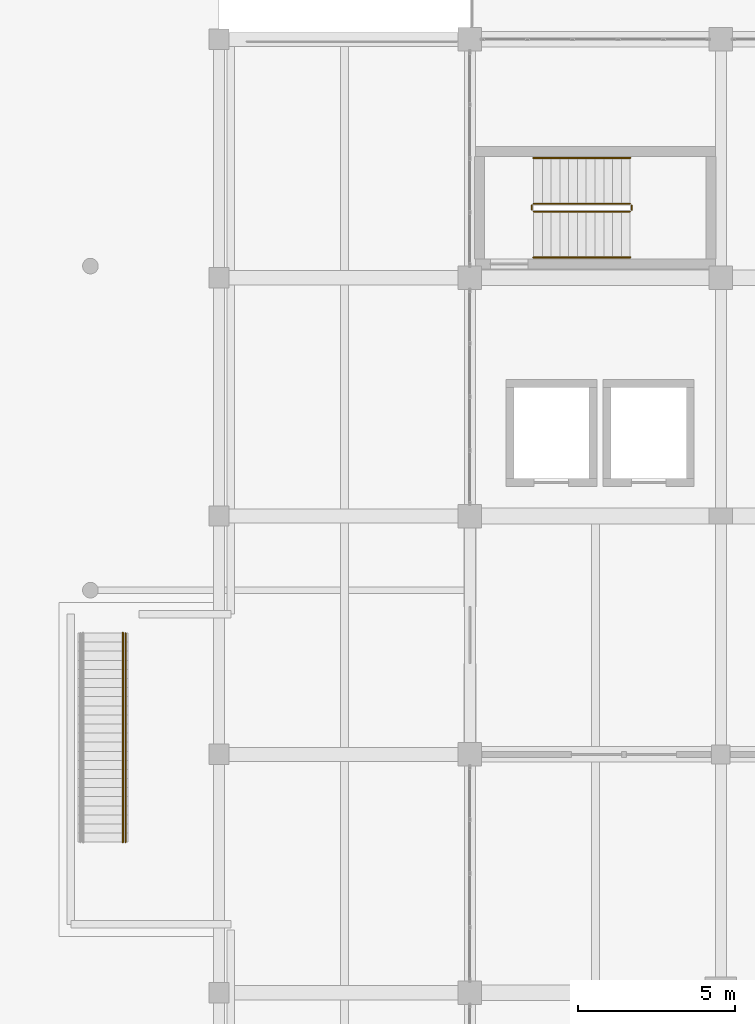
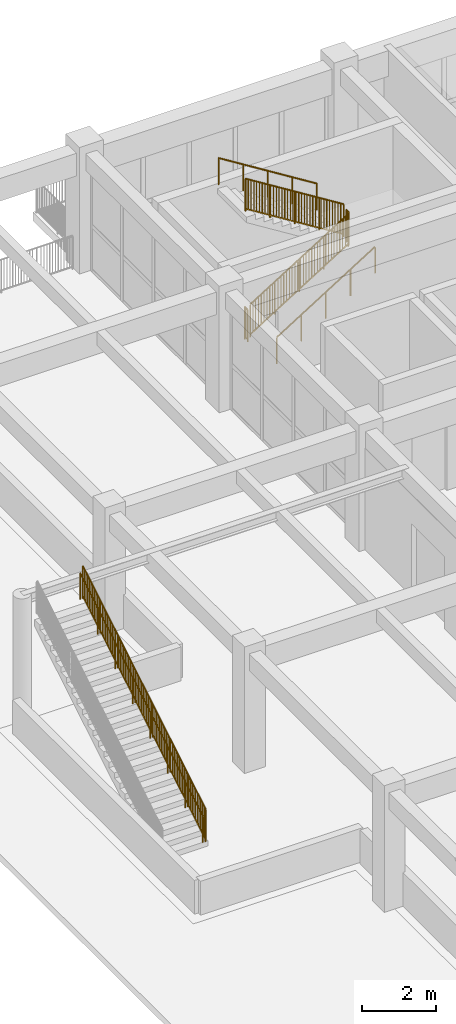
# One storey, part 51 of 63: 8 railings.
"""IFC4 building model written with IfcOpenShell, lengths in metres."""

from ifc_helpers import new_model, si_unit, direction, frame, origin, origin_2d, place, context, subcontext, project, spatial, rectangle, circle, extrude, material, type_object, element, save


model = new_model("IFC4")

# Units and contexts
model_context = context("Model", 3, precision=1e-05, world=origin(), true_north=direction((0.0, 1.0)))
body_context = subcontext(model_context, "Body", "Model", "MODEL_VIEW")
ifc_project = project(units=[si_unit("LENGTHUNIT", "METRE"), si_unit("AREAUNIT", "SQUARE_METRE"), si_unit("VOLUMEUNIT", "CUBIC_METRE"), si_unit("PLANEANGLEUNIT", "RADIAN"), si_unit("MASSUNIT", "GRAM", prefix="KILO")], contexts=[model_context])

# Site, building, storey
site_placement = place(None, origin())
site = spatial("IfcSite", under=ifc_project, at=site_placement, CompositionType="ELEMENT")
building_placement = place(site_placement, origin())
building = spatial("IfcBuilding", under=site, at=building_placement, Name="Zantavel Square City Hall", CompositionType="ELEMENT")
storey_placement = place(building_placement, frame((0.0, 0.0, 14.699951171875)))
storey = spatial("IfcBuildingStorey", under=building, at=storey_placement, Name="L04", CompositionType="ELEMENT", Elevation=14.699951171875)

# Railings
ifc_material_1 = material(Name="Steel ASTM A500 Grade B", Category="steel")
railing_type_1 = type_object("IfcRailingType", Name="Atrium & Gallery Steel Guard Railing 1100mm", PredefinedType="GUARDRAIL", material=ifc_material_1)
railing_1_placement = place(storey_placement, frame((66.030029296875, 62.909912109375, 0.175048828125)))
element("IfcRailing", 1, at=railing_1_placement, inside=storey, type_object=railing_type_1, Name="L04 ST5 stair guard 1", PredefinedType="GUARDRAIL", context=body_context, shape_type="SweptSolid", body=[
    extrude(circle(Radius=0.02392578125, at=origin_2d()), frame((0.0, 0.0, 1.076171875), z_axis=(0.847998304005, 0.0, 0.529998940003), x_axis=(0.0, 1.0, 0.0)), (0.0, 0.0, 1.0), 3.632080078125),
    extrude(rectangle(XDim=0.031982421875, YDim=0.031982421875, at=origin_2d()), frame((0.0, 0.0, 0.080078125), z_axis=(0.847998304005, 0.0, 0.529998940003), x_axis=(0.0, 1.0, 0.0)), (0.0, 0.0, 1.0), 3.632080078125),
    extrude(rectangle(XDim=0.02197265625, YDim=0.02197265625, at=origin_2d()), frame((0.087890625, 0.0, 0.135009765625)), (0.0, 0.0, 1.0), 0.971923828125),
    extrude(rectangle(XDim=0.02197265625, YDim=0.02197265625, at=origin_2d()), frame((0.176025390625, 0.0, 0.18994140625)), (0.0, 0.0, 1.0), 0.971923828125),
    extrude(rectangle(XDim=0.02197265625, YDim=0.02197265625, at=origin_2d()), frame((0.263916015625, 0.0, 0.2451171875)), (0.0, 0.0, 1.0), 0.971923828125),
    extrude(rectangle(XDim=0.02197265625, YDim=0.02197265625, at=origin_2d()), frame((0.35205078125, 0.0, 0.300048828125)), (0.0, 0.0, 1.0), 0.971923828125),
    extrude(rectangle(XDim=0.02197265625, YDim=0.02197265625, at=origin_2d()), frame((0.43994140625, 0.0, 0.35498046875)), (0.0, 0.0, 1.0), 0.971923828125),
    extrude(rectangle(XDim=0.02197265625, YDim=0.02197265625, at=origin_2d()), frame((0.528076171875, 0.0, 0.409912109375)), (0.0, 0.0, 1.0), 0.971923828125),
    extrude(rectangle(XDim=0.02197265625, YDim=0.02197265625, at=origin_2d()), frame((0.615966796875, 0.0, 0.465087890625)), (0.0, 0.0, 1.0), 0.971923828125),
    extrude(rectangle(XDim=0.02197265625, YDim=0.02197265625, at=origin_2d()), frame((0.7041015625, 0.0, 0.52001953125)), (0.0, 0.0, 1.0), 0.971923828125),
    extrude(rectangle(XDim=0.02197265625, YDim=0.02197265625, at=origin_2d()), frame((0.880126953125, 0.0, 0.630126953125)), (0.0, 0.0, 1.0), 0.971923828125),
    extrude(rectangle(XDim=0.02197265625, YDim=0.02197265625, at=origin_2d()), frame((0.968017578125, 0.0, 0.68505859375)), (0.0, 0.0, 1.0), 0.971923828125),
    extrude(rectangle(XDim=0.02197265625, YDim=0.02197265625, at=origin_2d()), frame((1.055908203125, 0.0, 0.739990234375)), (0.0, 0.0, 1.0), 0.971923828125),
    extrude(rectangle(XDim=0.02197265625, YDim=0.02197265625, at=origin_2d()), frame((1.14404296875, 0.0, 0.794921875)), (0.0, 0.0, 1.0), 0.971923828125),
    extrude(rectangle(XDim=0.02197265625, YDim=0.02197265625, at=origin_2d()), frame((1.23193359375, 0.0, 0.85009765625)), (0.0, 0.0, 1.0), 0.971923828125),
    extrude(rectangle(XDim=0.02197265625, YDim=0.02197265625, at=origin_2d()), frame((1.320068359375, 0.0, 0.905029296875)), (0.0, 0.0, 1.0), 0.971923828125),
    extrude(rectangle(XDim=0.02197265625, YDim=0.02197265625, at=origin_2d()), frame((1.407958984375, 0.0, 0.9599609375)), (0.0, 0.0, 1.0), 0.971923828125),
    extrude(rectangle(XDim=0.02197265625, YDim=0.02197265625, at=origin_2d()), frame((1.49609375, 0.0, 1.01513671875)), (0.0, 0.0, 1.0), 0.971923828125),
    extrude(rectangle(XDim=0.02197265625, YDim=0.02197265625, at=origin_2d()), frame((1.583984375, 0.0, 1.070068359375)), (0.0, 0.0, 1.0), 0.971923828125),
    extrude(rectangle(XDim=0.02197265625, YDim=0.02197265625, at=origin_2d()), frame((1.672119140625, 0.0, 1.125)), (0.0, 0.0, 1.0), 0.971923828125),
    extrude(rectangle(XDim=0.02197265625, YDim=0.02197265625, at=origin_2d()), frame((1.760009765625, 0.0, 1.179931640625)), (0.0, 0.0, 1.0), 0.971923828125),
    extrude(rectangle(XDim=0.02197265625, YDim=0.02197265625, at=origin_2d()), frame((1.84814453125, 0.0, 1.235107421875)), (0.0, 0.0, 1.0), 0.971923828125),
    extrude(rectangle(XDim=0.02197265625, YDim=0.02197265625, at=origin_2d()), frame((1.93603515625, 0.0, 1.2900390625)), (0.0, 0.0, 1.0), 0.971923828125),
    extrude(rectangle(XDim=0.02197265625, YDim=0.02197265625, at=origin_2d()), frame((2.024169921875, 0.0, 1.344970703125)), (0.0, 0.0, 1.0), 0.971923828125),
    extrude(rectangle(XDim=0.02197265625, YDim=0.02197265625, at=origin_2d()), frame((2.112060546875, 0.0, 1.400146484375)), (0.0, 0.0, 1.0), 0.971923828125),
    extrude(rectangle(XDim=0.02197265625, YDim=0.02197265625, at=origin_2d()), frame((2.199951171875, 0.0, 1.455078125)), (0.0, 0.0, 1.0), 0.971923828125),
    extrude(rectangle(XDim=0.02197265625, YDim=0.02197265625, at=origin_2d()), frame((2.3759765625, 0.0, 1.56494140625)), (0.0, 0.0, 1.0), 0.971923828125),
    extrude(rectangle(XDim=0.02197265625, YDim=0.02197265625, at=origin_2d()), frame((2.464111328125, 0.0, 1.6201171875)), (0.0, 0.0, 1.0), 0.971923828125),
    extrude(rectangle(XDim=0.02197265625, YDim=0.02197265625, at=origin_2d()), frame((2.552001953125, 0.0, 1.675048828125)), (0.0, 0.0, 1.0), 0.971923828125),
    extrude(rectangle(XDim=0.02197265625, YDim=0.02197265625, at=origin_2d()), frame((2.64013671875, 0.0, 1.72998046875)), (0.0, 0.0, 1.0), 0.971923828125),
    extrude(rectangle(XDim=0.02197265625, YDim=0.02197265625, at=origin_2d()), frame((2.72802734375, 0.0, 1.78515625)), (0.0, 0.0, 1.0), 0.971923828125),
    extrude(rectangle(XDim=0.02197265625, YDim=0.02197265625, at=origin_2d()), frame((2.816162109375, 0.0, 1.840087890625)), (0.0, 0.0, 1.0), 0.971923828125),
    extrude(rectangle(XDim=0.02197265625, YDim=0.02197265625, at=origin_2d()), frame((2.904052734375, 0.0, 1.89501953125)), (0.0, 0.0, 1.0), 0.971923828125),
    extrude(rectangle(XDim=0.02197265625, YDim=0.02197265625, at=origin_2d()), frame((2.9921875, 0.0, 1.949951171875)), (0.0, 0.0, 1.0), 0.971923828125),
    extrude(circle(Radius=0.02099609375, at=origin_2d()), origin(), (0.0, 0.0, 1.0), 1.052001953125),
    extrude(circle(Radius=0.02099609375, at=origin_2d()), frame((0.77001953125, 0.0, 0.481201171875)), (0.0, 0.0, 1.0), 1.052001953125),
    extrude(circle(Radius=0.02099609375, at=origin_2d()), frame((1.5400390625, 0.0, 0.96240234375)), (0.0, 0.0, 1.0), 1.052001953125),
    extrude(circle(Radius=0.02099609375, at=origin_2d()), frame((2.31005859375, 0.0, 1.44384765625)), (0.0, 0.0, 1.0), 1.052001953125),
    extrude(circle(Radius=0.02099609375, at=origin_2d()), frame((3.080078125, 0.0, 1.925048828125)), (0.0, 0.0, 1.0), 1.052001953125),
])
railing_2_placement = place(storey_placement, frame((69.159912109375, 62.9599609375, 2.10009765625)))
element("IfcRailing", 2, at=railing_2_placement, inside=storey, type_object=railing_type_1, Name="L04 ST5 stair guard 2", PredefinedType="GUARDRAIL", context=body_context, shape_type="SweptSolid", body=[
    extrude(circle(Radius=0.02392578125, at=origin_2d()), frame((0.0, 0.0, 1.076171875), z_axis=(0.0, 1.0, 0.0), x_axis=(-1.0, 0.0, 0.0)), (0.0, 0.0, 1.0), 0.150146484375),
    extrude(rectangle(XDim=0.031982421875, YDim=0.031982421875, at=origin_2d()), frame((0.0, 0.0, 0.080078125), z_axis=(0.0, 1.0, 0.0), x_axis=(-1.0, 0.0, 0.0)), (0.0, 0.0, 1.0), 0.150146484375),
    extrude(rectangle(XDim=0.02197265625, YDim=0.02197265625, at=origin_2d()), frame((0.0, 0.0751953125, 0.080078125)), (0.0, 0.0, 1.0), 0.971923828125),
    extrude(circle(Radius=0.02099609375, at=origin_2d()), origin(), (0.0, 0.0, 1.0), 1.052001953125),
    extrude(circle(Radius=0.02099609375, at=origin_2d()), frame((0.0, 0.150146484375, 0.0)), (0.0, 0.0, 1.0), 1.052001953125),
])
railing_3_placement = place(storey_placement, frame((69.110107421875, 63.159912109375, 2.275146484375)))
element("IfcRailing", 3, at=railing_3_placement, inside=storey, type_object=railing_type_1, Name="L04 ST5 stair guard 3", PredefinedType="GUARDRAIL", context=body_context, shape_type="SweptSolid", body=[
    extrude(circle(Radius=0.02392578125, at=origin_2d()), frame((0.0, 0.0, 1.076171875), z_axis=(-0.848028513186, 0.0, 0.529950602248), x_axis=(0.0, -1.0, 0.0)), (0.0, 0.0, 1.0), 3.632080078125),
    extrude(rectangle(XDim=0.031982421875, YDim=0.031982421875, at=origin_2d()), frame((0.0, 0.0, 0.080078125), z_axis=(-0.848028513186, 0.0, 0.529950602248), x_axis=(0.0, -1.0, 0.0)), (0.0, 0.0, 1.0), 3.632080078125),
    extrude(rectangle(XDim=0.02197265625, YDim=0.02197265625, at=origin_2d()), frame((-0.087890625, 0.0, 0.135009765625)), (0.0, 0.0, 1.0), 0.971923828125),
    extrude(rectangle(XDim=0.02197265625, YDim=0.02197265625, at=origin_2d()), frame((-0.176025390625, 0.0, 0.18994140625)), (0.0, 0.0, 1.0), 0.971923828125),
    extrude(rectangle(XDim=0.02197265625, YDim=0.02197265625, at=origin_2d()), frame((-0.263916015625, 0.0, 0.244873046875)), (0.0, 0.0, 1.0), 0.971923828125),
    extrude(rectangle(XDim=0.02197265625, YDim=0.02197265625, at=origin_2d()), frame((-0.35205078125, 0.0, 0.300048828125)), (0.0, 0.0, 1.0), 0.971923828125),
    extrude(rectangle(XDim=0.02197265625, YDim=0.02197265625, at=origin_2d()), frame((-0.43994140625, 0.0, 0.35498046875)), (0.0, 0.0, 1.0), 0.971923828125),
    extrude(rectangle(XDim=0.02197265625, YDim=0.02197265625, at=origin_2d()), frame((-0.528076171875, 0.0, 0.409912109375)), (0.0, 0.0, 1.0), 0.971923828125),
    extrude(rectangle(XDim=0.02197265625, YDim=0.02197265625, at=origin_2d()), frame((-0.615966796875, 0.0, 0.46484375)), (0.0, 0.0, 1.0), 0.971923828125),
    extrude(rectangle(XDim=0.02197265625, YDim=0.02197265625, at=origin_2d()), frame((-0.7041015625, 0.0, 0.52001953125)), (0.0, 0.0, 1.0), 0.971923828125),
    extrude(rectangle(XDim=0.02197265625, YDim=0.02197265625, at=origin_2d()), frame((-0.880126953125, 0.0, 0.6298828125)), (0.0, 0.0, 1.0), 0.971923828125),
    extrude(rectangle(XDim=0.02197265625, YDim=0.02197265625, at=origin_2d()), frame((-0.968017578125, 0.0, 0.68505859375)), (0.0, 0.0, 1.0), 0.971923828125),
    extrude(rectangle(XDim=0.02197265625, YDim=0.02197265625, at=origin_2d()), frame((-1.055908203125, 0.0, 0.739990234375)), (0.0, 0.0, 1.0), 0.971923828125),
    extrude(rectangle(XDim=0.02197265625, YDim=0.02197265625, at=origin_2d()), frame((-1.14404296875, 0.0, 0.794921875)), (0.0, 0.0, 1.0), 0.971923828125),
    extrude(rectangle(XDim=0.02197265625, YDim=0.02197265625, at=origin_2d()), frame((-1.23193359375, 0.0, 0.849853515625)), (0.0, 0.0, 1.0), 0.971923828125),
    extrude(rectangle(XDim=0.02197265625, YDim=0.02197265625, at=origin_2d()), frame((-1.320068359375, 0.0, 0.905029296875)), (0.0, 0.0, 1.0), 0.971923828125),
    extrude(rectangle(XDim=0.02197265625, YDim=0.02197265625, at=origin_2d()), frame((-1.407958984375, 0.0, 0.9599609375)), (0.0, 0.0, 1.0), 0.971923828125),
    extrude(rectangle(XDim=0.02197265625, YDim=0.02197265625, at=origin_2d()), frame((-1.49609375, 0.0, 1.014892578125)), (0.0, 0.0, 1.0), 0.971923828125),
    extrude(rectangle(XDim=0.02197265625, YDim=0.02197265625, at=origin_2d()), frame((-1.583984375, 0.0, 1.06982421875)), (0.0, 0.0, 1.0), 0.971923828125),
    extrude(rectangle(XDim=0.02197265625, YDim=0.02197265625, at=origin_2d()), frame((-1.672119140625, 0.0, 1.125)), (0.0, 0.0, 1.0), 0.971923828125),
    extrude(rectangle(XDim=0.02197265625, YDim=0.02197265625, at=origin_2d()), frame((-1.760009765625, 0.0, 1.179931640625)), (0.0, 0.0, 1.0), 0.971923828125),
    extrude(rectangle(XDim=0.02197265625, YDim=0.02197265625, at=origin_2d()), frame((-1.84814453125, 0.0, 1.23486328125)), (0.0, 0.0, 1.0), 0.971923828125),
    extrude(rectangle(XDim=0.02197265625, YDim=0.02197265625, at=origin_2d()), frame((-1.93603515625, 0.0, 1.289794921875)), (0.0, 0.0, 1.0), 0.971923828125),
    extrude(rectangle(XDim=0.02197265625, YDim=0.02197265625, at=origin_2d()), frame((-2.024169921875, 0.0, 1.344970703125)), (0.0, 0.0, 1.0), 0.971923828125),
    extrude(rectangle(XDim=0.02197265625, YDim=0.02197265625, at=origin_2d()), frame((-2.112060546875, 0.0, 1.39990234375)), (0.0, 0.0, 1.0), 0.971923828125),
    extrude(rectangle(XDim=0.02197265625, YDim=0.02197265625, at=origin_2d()), frame((-2.199951171875, 0.0, 1.454833984375)), (0.0, 0.0, 1.0), 0.971923828125),
    extrude(rectangle(XDim=0.02197265625, YDim=0.02197265625, at=origin_2d()), frame((-2.3759765625, 0.0, 1.56494140625)), (0.0, 0.0, 1.0), 0.971923828125),
    extrude(rectangle(XDim=0.02197265625, YDim=0.02197265625, at=origin_2d()), frame((-2.464111328125, 0.0, 1.619873046875)), (0.0, 0.0, 1.0), 0.971923828125),
    extrude(rectangle(XDim=0.02197265625, YDim=0.02197265625, at=origin_2d()), frame((-2.552001953125, 0.0, 1.6748046875)), (0.0, 0.0, 1.0), 0.971923828125),
    extrude(rectangle(XDim=0.02197265625, YDim=0.02197265625, at=origin_2d()), frame((-2.64013671875, 0.0, 1.729736328125)), (0.0, 0.0, 1.0), 0.971923828125),
    extrude(rectangle(XDim=0.02197265625, YDim=0.02197265625, at=origin_2d()), frame((-2.72802734375, 0.0, 1.784912109375)), (0.0, 0.0, 1.0), 0.971923828125),
    extrude(rectangle(XDim=0.02197265625, YDim=0.02197265625, at=origin_2d()), frame((-2.816162109375, 0.0, 1.83984375)), (0.0, 0.0, 1.0), 0.971923828125),
    extrude(rectangle(XDim=0.02197265625, YDim=0.02197265625, at=origin_2d()), frame((-2.904052734375, 0.0, 1.894775390625)), (0.0, 0.0, 1.0), 0.971923828125),
    extrude(rectangle(XDim=0.02197265625, YDim=0.02197265625, at=origin_2d()), frame((-2.9921875, 0.0, 1.94970703125)), (0.0, 0.0, 1.0), 0.971923828125),
    extrude(circle(Radius=0.02099609375, at=origin_2d()), origin(), (0.0, 0.0, 1.0), 1.052001953125),
    extrude(circle(Radius=0.02099609375, at=origin_2d()), frame((-0.77001953125, 0.0, 0.481201171875)), (0.0, 0.0, 1.0), 1.052001953125),
    extrude(circle(Radius=0.02099609375, at=origin_2d()), frame((-1.5400390625, 0.0, 0.96240234375)), (0.0, 0.0, 1.0), 1.052001953125),
    extrude(circle(Radius=0.02099609375, at=origin_2d()), frame((-2.31005859375, 0.0, 1.443603515625)), (0.0, 0.0, 1.0), 1.052001953125),
    extrude(circle(Radius=0.02099609375, at=origin_2d()), frame((-3.080078125, 0.0, 1.9248046875)), (0.0, 0.0, 1.0), 1.052001953125),
])
railing_4_placement = place(storey_placement, frame((65.97998046875, 62.9599609375, 0.0)))
element("IfcRailing", 4, at=railing_4_placement, inside=storey, type_object=railing_type_1, Name="L04 ST5 stair guard 4", PredefinedType="GUARDRAIL", context=body_context, shape_type="SweptSolid", body=[
    extrude(circle(Radius=0.02392578125, at=origin_2d()), frame((0.0, 0.0, 1.076171875), z_axis=(0.0, 1.0, 0.0), x_axis=(-1.0, 0.0, 0.0)), (0.0, 0.0, 1.0), 0.150146484375),
    extrude(rectangle(XDim=0.031982421875, YDim=0.031982421875, at=origin_2d()), frame((0.0, 0.0, 0.080078125), z_axis=(0.0, 1.0, 0.0), x_axis=(-1.0, 0.0, 0.0)), (0.0, 0.0, 1.0), 0.150146484375),
    extrude(rectangle(XDim=0.02197265625, YDim=0.02197265625, at=origin_2d()), frame((0.0, 0.0751953125, 0.080078125)), (0.0, 0.0, 1.0), 0.971923828125),
    extrude(circle(Radius=0.02099609375, at=origin_2d()), origin(), (0.0, 0.0, 1.0), 1.052001953125),
    extrude(circle(Radius=0.02099609375, at=origin_2d()), frame((0.0, 0.150146484375, 0.0)), (0.0, 0.0, 1.0), 1.052001953125),
])
railing_type_2 = type_object("IfcRailingType", Name="Classical Stone & Steel Terrace Balustrade 1100mm", PredefinedType="BALUSTRADE", material=ifc_material_1)
railing_5_placement = place(storey_placement, frame((53.02001953125, 42.800048828125, 0.175048828125)))
element("IfcRailing", 5, at=railing_5_placement, inside=storey, type_object=railing_type_2, Name="Outdoor Stair ST-TR5 Balustered Guard R", PredefinedType="BALUSTRADE", context=body_context, shape_type="SweptSolid", body=[
    extrude(circle(Radius=0.02392578125, at=origin_2d()), frame((0.0, 0.0, 1.076171875), z_axis=(0.0, 0.856190529329, 0.516660214733), x_axis=(-1.0, 0.0, 0.0)), (0.0, 0.0, 1.0), 7.790283203125),
    extrude(rectangle(XDim=0.031982421875, YDim=0.031982421875, at=origin_2d()), frame((0.0, 0.0, 0.080078125), z_axis=(0.0, 0.856190529329, 0.516660214733), x_axis=(-1.0, 0.0, 0.0)), (0.0, 0.0, 1.0), 7.790283203125),
    extrude(rectangle(XDim=0.02197265625, YDim=0.02197265625, at=origin_2d()), frame((0.0, 0.0888671875, 0.133544921875)), (0.0, 0.0, 1.0), 0.971923828125),
    extrude(rectangle(XDim=0.02197265625, YDim=0.02197265625, at=origin_2d()), frame((0.0, 0.177978515625, 0.187255859375)), (0.0, 0.0, 1.0), 0.971923828125),
    extrude(rectangle(XDim=0.02197265625, YDim=0.02197265625, at=origin_2d()), frame((0.0, 0.266845703125, 0.240966796875)), (0.0, 0.0, 1.0), 0.971923828125),
    extrude(rectangle(XDim=0.02197265625, YDim=0.02197265625, at=origin_2d()), frame((0.0, 0.355712890625, 0.294677734375)), (0.0, 0.0, 1.0), 0.971923828125),
    extrude(rectangle(XDim=0.02197265625, YDim=0.02197265625, at=origin_2d()), frame((0.0, 0.444580078125, 0.348388671875)), (0.0, 0.0, 1.0), 0.971923828125),
    extrude(rectangle(XDim=0.02197265625, YDim=0.02197265625, at=origin_2d()), frame((0.0, 0.53369140625, 0.402099609375)), (0.0, 0.0, 1.0), 0.971923828125),
    extrude(rectangle(XDim=0.02197265625, YDim=0.02197265625, at=origin_2d()), frame((0.0, 0.62255859375, 0.45556640625)), (0.0, 0.0, 1.0), 0.971923828125),
    extrude(rectangle(XDim=0.02197265625, YDim=0.02197265625, at=origin_2d()), frame((0.0, 0.71142578125, 0.50927734375)), (0.0, 0.0, 1.0), 0.971923828125),
    extrude(rectangle(XDim=0.02197265625, YDim=0.02197265625, at=origin_2d()), frame((0.0, 0.80029296875, 0.56298828125)), (0.0, 0.0, 1.0), 0.971923828125),
    extrude(rectangle(XDim=0.02197265625, YDim=0.02197265625, at=origin_2d()), frame((0.0, 0.889404296875, 0.61669921875)), (0.0, 0.0, 1.0), 0.971923828125),
    extrude(rectangle(XDim=0.02197265625, YDim=0.02197265625, at=origin_2d()), frame((0.0, 1.067138671875, 0.723876953125)), (0.0, 0.0, 1.0), 0.971923828125),
    extrude(rectangle(XDim=0.02197265625, YDim=0.02197265625, at=origin_2d()), frame((0.0, 1.156005859375, 0.777587890625)), (0.0, 0.0, 1.0), 0.971923828125),
    extrude(rectangle(XDim=0.02197265625, YDim=0.02197265625, at=origin_2d()), frame((0.0, 1.2451171875, 0.831298828125)), (0.0, 0.0, 1.0), 0.971923828125),
    extrude(rectangle(XDim=0.02197265625, YDim=0.02197265625, at=origin_2d()), frame((0.0, 1.333984375, 0.885009765625)), (0.0, 0.0, 1.0), 0.971923828125),
    extrude(rectangle(XDim=0.02197265625, YDim=0.02197265625, at=origin_2d()), frame((0.0, 1.4228515625, 0.938720703125)), (0.0, 0.0, 1.0), 0.971923828125),
    extrude(rectangle(XDim=0.02197265625, YDim=0.02197265625, at=origin_2d()), frame((0.0, 1.511962890625, 0.992431640625)), (0.0, 0.0, 1.0), 0.971923828125),
    extrude(rectangle(XDim=0.02197265625, YDim=0.02197265625, at=origin_2d()), frame((0.0, 1.600830078125, 1.0458984375)), (0.0, 0.0, 1.0), 0.971923828125),
    extrude(rectangle(XDim=0.02197265625, YDim=0.02197265625, at=origin_2d()), frame((0.0, 1.689697265625, 1.099609375)), (0.0, 0.0, 1.0), 0.971923828125),
    extrude(rectangle(XDim=0.02197265625, YDim=0.02197265625, at=origin_2d()), frame((0.0, 1.778564453125, 1.1533203125)), (0.0, 0.0, 1.0), 0.971923828125),
    extrude(rectangle(XDim=0.02197265625, YDim=0.02197265625, at=origin_2d()), frame((0.0, 1.95654296875, 1.2607421875)), (0.0, 0.0, 1.0), 0.971923828125),
    extrude(rectangle(XDim=0.02197265625, YDim=0.02197265625, at=origin_2d()), frame((0.0, 2.04541015625, 1.314208984375)), (0.0, 0.0, 1.0), 0.971923828125),
    extrude(rectangle(XDim=0.02197265625, YDim=0.02197265625, at=origin_2d()), frame((0.0, 2.13427734375, 1.367919921875)), (0.0, 0.0, 1.0), 0.971923828125),
    extrude(rectangle(XDim=0.02197265625, YDim=0.02197265625, at=origin_2d()), frame((0.0, 2.223388671875, 1.421630859375)), (0.0, 0.0, 1.0), 0.971923828125),
    extrude(rectangle(XDim=0.02197265625, YDim=0.02197265625, at=origin_2d()), frame((0.0, 2.312255859375, 1.475341796875)), (0.0, 0.0, 1.0), 0.971923828125),
    extrude(rectangle(XDim=0.02197265625, YDim=0.02197265625, at=origin_2d()), frame((0.0, 2.401123046875, 1.529052734375)), (0.0, 0.0, 1.0), 0.971923828125),
    extrude(rectangle(XDim=0.02197265625, YDim=0.02197265625, at=origin_2d()), frame((0.0, 2.489990234375, 1.58251953125)), (0.0, 0.0, 1.0), 0.971923828125),
    extrude(rectangle(XDim=0.02197265625, YDim=0.02197265625, at=origin_2d()), frame((0.0, 2.5791015625, 1.63623046875)), (0.0, 0.0, 1.0), 0.971923828125),
    extrude(rectangle(XDim=0.02197265625, YDim=0.02197265625, at=origin_2d()), frame((0.0, 2.66796875, 1.68994140625)), (0.0, 0.0, 1.0), 0.971923828125),
    extrude(rectangle(XDim=0.02197265625, YDim=0.02197265625, at=origin_2d()), frame((0.0, 2.7568359375, 1.74365234375)), (0.0, 0.0, 1.0), 0.971923828125),
    extrude(rectangle(XDim=0.02197265625, YDim=0.02197265625, at=origin_2d()), frame((0.0, 2.934814453125, 1.85107421875)), (0.0, 0.0, 1.0), 0.971923828125),
    extrude(rectangle(XDim=0.02197265625, YDim=0.02197265625, at=origin_2d()), frame((0.0, 3.023681640625, 1.904541015625)), (0.0, 0.0, 1.0), 0.971923828125),
    extrude(rectangle(XDim=0.02197265625, YDim=0.02197265625, at=origin_2d()), frame((0.0, 3.112548828125, 1.958251953125)), (0.0, 0.0, 1.0), 0.971923828125),
    extrude(rectangle(XDim=0.02197265625, YDim=0.02197265625, at=origin_2d()), frame((0.0, 3.20166015625, 2.011962890625)), (0.0, 0.0, 1.0), 0.971923828125),
    extrude(rectangle(XDim=0.02197265625, YDim=0.02197265625, at=origin_2d()), frame((0.0, 3.29052734375, 2.065673828125)), (0.0, 0.0, 1.0), 0.971923828125),
    extrude(rectangle(XDim=0.02197265625, YDim=0.02197265625, at=origin_2d()), frame((0.0, 3.37939453125, 2.119384765625)), (0.0, 0.0, 1.0), 0.971923828125),
    extrude(rectangle(XDim=0.02197265625, YDim=0.02197265625, at=origin_2d()), frame((0.0, 3.46826171875, 2.1728515625)), (0.0, 0.0, 1.0), 0.971923828125),
    extrude(rectangle(XDim=0.02197265625, YDim=0.02197265625, at=origin_2d()), frame((0.0, 3.557373046875, 2.2265625)), (0.0, 0.0, 1.0), 0.971923828125),
    extrude(rectangle(XDim=0.02197265625, YDim=0.02197265625, at=origin_2d()), frame((0.0, 3.646240234375, 2.2802734375)), (0.0, 0.0, 1.0), 0.971923828125),
    extrude(rectangle(XDim=0.02197265625, YDim=0.02197265625, at=origin_2d()), frame((0.0, 3.735107421875, 2.333984375)), (0.0, 0.0, 1.0), 0.971923828125),
    extrude(rectangle(XDim=0.02197265625, YDim=0.02197265625, at=origin_2d()), frame((0.0, 3.9130859375, 2.441162109375)), (0.0, 0.0, 1.0), 0.971923828125),
    extrude(rectangle(XDim=0.02197265625, YDim=0.02197265625, at=origin_2d()), frame((0.0, 4.001953125, 2.494873046875)), (0.0, 0.0, 1.0), 0.971923828125),
    extrude(rectangle(XDim=0.02197265625, YDim=0.02197265625, at=origin_2d()), frame((0.0, 4.0908203125, 2.548583984375)), (0.0, 0.0, 1.0), 0.971923828125),
    extrude(rectangle(XDim=0.02197265625, YDim=0.02197265625, at=origin_2d()), frame((0.0, 4.179931640625, 2.602294921875)), (0.0, 0.0, 1.0), 0.971923828125),
    extrude(rectangle(XDim=0.02197265625, YDim=0.02197265625, at=origin_2d()), frame((0.0, 4.268798828125, 2.656005859375)), (0.0, 0.0, 1.0), 0.971923828125),
    extrude(rectangle(XDim=0.02197265625, YDim=0.02197265625, at=origin_2d()), frame((0.0, 4.357666015625, 2.709716796875)), (0.0, 0.0, 1.0), 0.971923828125),
    extrude(rectangle(XDim=0.02197265625, YDim=0.02197265625, at=origin_2d()), frame((0.0, 4.446533203125, 2.76318359375)), (0.0, 0.0, 1.0), 0.971923828125),
    extrude(rectangle(XDim=0.02197265625, YDim=0.02197265625, at=origin_2d()), frame((0.0, 4.53564453125, 2.81689453125)), (0.0, 0.0, 1.0), 0.971923828125),
    extrude(rectangle(XDim=0.02197265625, YDim=0.02197265625, at=origin_2d()), frame((0.0, 4.62451171875, 2.87060546875)), (0.0, 0.0, 1.0), 0.971923828125),
    extrude(rectangle(XDim=0.02197265625, YDim=0.02197265625, at=origin_2d()), frame((0.0, 4.71337890625, 2.92431640625)), (0.0, 0.0, 1.0), 0.971923828125),
    extrude(rectangle(XDim=0.02197265625, YDim=0.02197265625, at=origin_2d()), frame((0.0, 4.891357421875, 3.031494140625)), (0.0, 0.0, 1.0), 0.971923828125),
    extrude(rectangle(XDim=0.02197265625, YDim=0.02197265625, at=origin_2d()), frame((0.0, 4.980224609375, 3.085205078125)), (0.0, 0.0, 1.0), 0.971923828125),
    extrude(rectangle(XDim=0.02197265625, YDim=0.02197265625, at=origin_2d()), frame((0.0, 5.069091796875, 3.138916015625)), (0.0, 0.0, 1.0), 0.971923828125),
    extrude(rectangle(XDim=0.02197265625, YDim=0.02197265625, at=origin_2d()), frame((0.0, 5.157958984375, 3.192626953125)), (0.0, 0.0, 1.0), 0.971923828125),
    extrude(rectangle(XDim=0.02197265625, YDim=0.02197265625, at=origin_2d()), frame((0.0, 5.2470703125, 3.246337890625)), (0.0, 0.0, 1.0), 0.971923828125),
    extrude(rectangle(XDim=0.02197265625, YDim=0.02197265625, at=origin_2d()), frame((0.0, 5.3359375, 3.2998046875)), (0.0, 0.0, 1.0), 0.971923828125),
    extrude(rectangle(XDim=0.02197265625, YDim=0.02197265625, at=origin_2d()), frame((0.0, 5.4248046875, 3.353515625)), (0.0, 0.0, 1.0), 0.971923828125),
    extrude(rectangle(XDim=0.02197265625, YDim=0.02197265625, at=origin_2d()), frame((0.0, 5.513916015625, 3.4072265625)), (0.0, 0.0, 1.0), 0.971923828125),
    extrude(rectangle(XDim=0.02197265625, YDim=0.02197265625, at=origin_2d()), frame((0.0, 5.602783203125, 3.4609375)), (0.0, 0.0, 1.0), 0.971923828125),
    extrude(rectangle(XDim=0.02197265625, YDim=0.02197265625, at=origin_2d()), frame((0.0, 5.780517578125, 3.568359375)), (0.0, 0.0, 1.0), 0.971923828125),
    extrude(rectangle(XDim=0.02197265625, YDim=0.02197265625, at=origin_2d()), frame((0.0, 5.86962890625, 3.621826171875)), (0.0, 0.0, 1.0), 0.971923828125),
    extrude(rectangle(XDim=0.02197265625, YDim=0.02197265625, at=origin_2d()), frame((0.0, 5.95849609375, 3.675537109375)), (0.0, 0.0, 1.0), 0.971923828125),
    extrude(rectangle(XDim=0.02197265625, YDim=0.02197265625, at=origin_2d()), frame((0.0, 6.04736328125, 3.729248046875)), (0.0, 0.0, 1.0), 0.971923828125),
    extrude(rectangle(XDim=0.02197265625, YDim=0.02197265625, at=origin_2d()), frame((0.0, 6.13623046875, 3.782958984375)), (0.0, 0.0, 1.0), 0.971923828125),
    extrude(rectangle(XDim=0.02197265625, YDim=0.02197265625, at=origin_2d()), frame((0.0, 6.225341796875, 3.836669921875)), (0.0, 0.0, 1.0), 0.971923828125),
    extrude(rectangle(XDim=0.02197265625, YDim=0.02197265625, at=origin_2d()), frame((0.0, 6.314208984375, 3.89013671875)), (0.0, 0.0, 1.0), 0.971923828125),
    extrude(rectangle(XDim=0.02197265625, YDim=0.02197265625, at=origin_2d()), frame((0.0, 6.403076171875, 3.94384765625)), (0.0, 0.0, 1.0), 0.971923828125),
    extrude(rectangle(XDim=0.02197265625, YDim=0.02197265625, at=origin_2d()), frame((0.0, 6.491943359375, 3.99755859375)), (0.0, 0.0, 1.0), 0.971923828125),
    extrude(rectangle(XDim=0.02197265625, YDim=0.02197265625, at=origin_2d()), frame((0.0, 6.5810546875, 4.05126953125)), (0.0, 0.0, 1.0), 0.971923828125),
    extrude(circle(Radius=0.02099609375, at=origin_2d()), origin(), (0.0, 0.0, 1.0), 1.052001953125),
    extrude(circle(Radius=0.02099609375, at=origin_2d()), frame((0.0, 0.952880859375, 0.574951171875)), (0.0, 0.0, 1.0), 1.052001953125),
    extrude(circle(Radius=0.02099609375, at=origin_2d()), frame((0.0, 1.90576171875, 1.14990234375)), (0.0, 0.0, 1.0), 1.052001953125),
    extrude(circle(Radius=0.02099609375, at=origin_2d()), frame((0.0, 2.858642578125, 1.724853515625)), (0.0, 0.0, 1.0), 1.052001953125),
    extrude(circle(Radius=0.02099609375, at=origin_2d()), frame((0.0, 3.811279296875, 2.300048828125)), (0.0, 0.0, 1.0), 1.052001953125),
    extrude(circle(Radius=0.02099609375, at=origin_2d()), frame((0.0, 4.76416015625, 2.875)), (0.0, 0.0, 1.0), 1.052001953125),
    extrude(circle(Radius=0.02099609375, at=origin_2d()), frame((0.0, 5.717041015625, 3.449951171875)), (0.0, 0.0, 1.0), 1.052001953125),
    extrude(circle(Radius=0.02099609375, at=origin_2d()), frame((0.0, 6.669921875, 4.02490234375)), (0.0, 0.0, 1.0), 1.052001953125),
])
ifc_material_2 = material(Name="Stainless steel 316", Category="steel")
railing_type_3 = type_object("IfcRailingType", Name="Stair Stainless Steel Handrail 900mm", PredefinedType="HANDRAIL", material=ifc_material_2)
railing_6_placement = place(storey_placement, frame((52.93359375, 42.800048828125, 0.175048828125)))
element("IfcRailing", 6, at=railing_6_placement, inside=storey, type_object=railing_type_3, Name="Outdoor Stair ST-TR5 Handrail R", PredefinedType="HANDRAIL", context=body_context, shape_type="SweptSolid", body=[
    extrude(circle(Radius=0.02392578125, at=origin_2d()), frame((0.0, 0.0, 0.8759765625), z_axis=(0.0, 0.856190529329, 0.516660214733), x_axis=(-1.0, 0.0, 0.0)), (0.0, 0.0, 1.0), 7.790283203125),
    extrude(circle(Radius=0.02099609375, at=origin_2d()), origin(), (0.0, 0.0, 1.0), 0.851806640625),
    extrude(circle(Radius=0.02099609375, at=origin_2d()), frame((0.0, 0.952880859375, 0.574951171875)), (0.0, 0.0, 1.0), 0.851806640625),
    extrude(circle(Radius=0.02099609375, at=origin_2d()), frame((0.0, 1.90576171875, 1.14990234375)), (0.0, 0.0, 1.0), 0.851806640625),
    extrude(circle(Radius=0.02099609375, at=origin_2d()), frame((0.0, 2.858642578125, 1.724853515625)), (0.0, 0.0, 1.0), 0.851806640625),
    extrude(circle(Radius=0.02099609375, at=origin_2d()), frame((0.0, 3.811279296875, 2.300048828125)), (0.0, 0.0, 1.0), 0.851806640625),
    extrude(circle(Radius=0.02099609375, at=origin_2d()), frame((0.0, 4.76416015625, 2.875)), (0.0, 0.0, 1.0), 0.851806640625),
    extrude(circle(Radius=0.02099609375, at=origin_2d()), frame((0.0, 5.717041015625, 3.449951171875)), (0.0, 0.0, 1.0), 0.851806640625),
    extrude(circle(Radius=0.02099609375, at=origin_2d()), frame((0.0, 6.669921875, 4.02490234375)), (0.0, 0.0, 1.0), 0.851806640625),
])
railing_7_placement = place(storey_placement, frame((66.030029296875, 61.449951171875, 0.175048828125)))
element("IfcRailing", 7, at=railing_7_placement, inside=storey, type_object=railing_type_3, Name="L04 ST5 stair handrail 1", PredefinedType="HANDRAIL", context=body_context, shape_type="SweptSolid", body=[
    extrude(circle(Radius=0.02392578125, at=origin_2d()), frame((0.0, 0.0, 0.8759765625), z_axis=(0.847998304005, 0.0, 0.529998940003), x_axis=(0.0, 1.0, 0.0)), (0.0, 0.0, 1.0), 3.632080078125),
    extrude(circle(Radius=0.02099609375, at=origin_2d()), origin(), (0.0, 0.0, 1.0), 0.851806640625),
    extrude(circle(Radius=0.02099609375, at=origin_2d()), frame((0.77001953125, 0.0, 0.481201171875)), (0.0, 0.0, 1.0), 0.851806640625),
    extrude(circle(Radius=0.02099609375, at=origin_2d()), frame((1.5400390625, 0.0, 0.96240234375)), (0.0, 0.0, 1.0), 0.851806640625),
    extrude(circle(Radius=0.02099609375, at=origin_2d()), frame((2.31005859375, 0.0, 1.44384765625)), (0.0, 0.0, 1.0), 0.851806640625),
    extrude(circle(Radius=0.02099609375, at=origin_2d()), frame((3.080078125, 0.0, 1.925048828125)), (0.0, 0.0, 1.0), 0.851806640625),
])
railing_8_placement = place(storey_placement, frame((69.110107421875, 64.6201171875, 2.275146484375)))
element("IfcRailing", 8, at=railing_8_placement, inside=storey, type_object=railing_type_3, Name="L04 ST5 stair handrail 2", PredefinedType="HANDRAIL", context=body_context, shape_type="SweptSolid", body=[
    extrude(circle(Radius=0.02392578125, at=origin_2d()), frame((0.0, 0.0, 0.8759765625), z_axis=(-0.848028513186, 0.0, 0.529950602248), x_axis=(0.0, -1.0, 0.0)), (0.0, 0.0, 1.0), 3.632080078125),
    extrude(circle(Radius=0.02099609375, at=origin_2d()), origin(), (0.0, 0.0, 1.0), 0.851806640625),
    extrude(circle(Radius=0.02099609375, at=origin_2d()), frame((-0.77001953125, 0.0, 0.481201171875)), (0.0, 0.0, 1.0), 0.851806640625),
    extrude(circle(Radius=0.02099609375, at=origin_2d()), frame((-1.5400390625, 0.0, 0.96240234375)), (0.0, 0.0, 1.0), 0.851806640625),
    extrude(circle(Radius=0.02099609375, at=origin_2d()), frame((-2.31005859375, 0.0, 1.443603515625)), (0.0, 0.0, 1.0), 0.851806640625),
    extrude(circle(Radius=0.02099609375, at=origin_2d()), frame((-3.080078125, 0.0, 1.9248046875)), (0.0, 0.0, 1.0), 0.851806640625),
])

save(model, "model.ifc")
